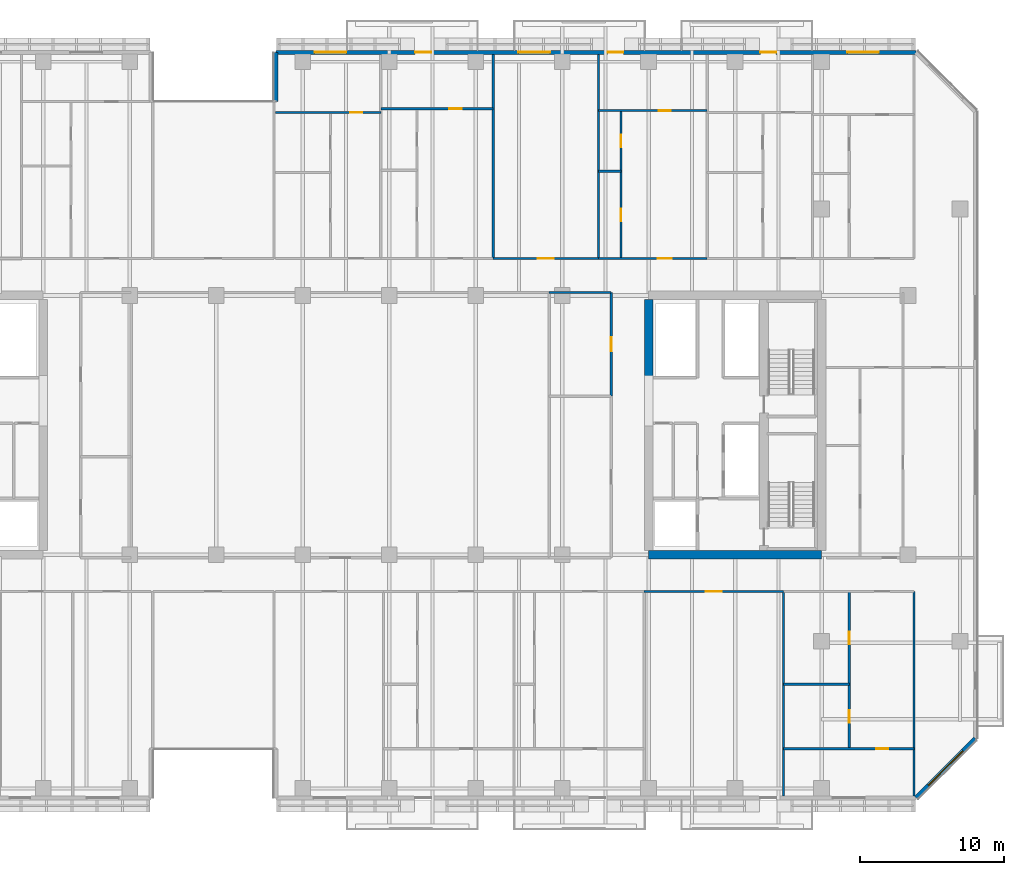
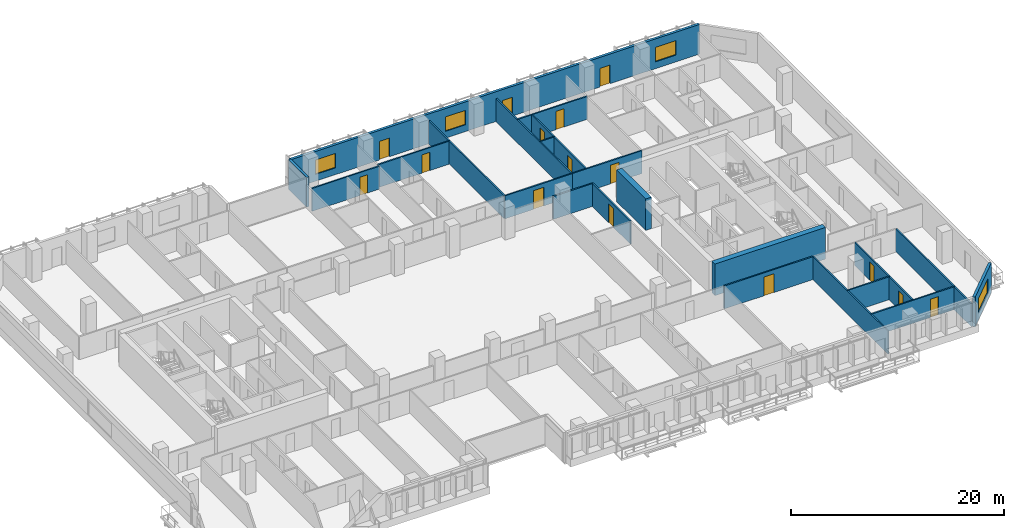
# One storey, part 14 of 26: 22 walls, 15 doors, 4 windows, 19 openings.
"""IFC4 building model written with IfcOpenShell, lengths in metres."""

from ifc_helpers import new_model, si_unit, direction, frame, frame_2d, origin, place, context, subcontext, project, spatial, rectangle, extrude, material, layer, layer_set, type_object, element, fill, save


model = new_model("IFC4")

# Units and contexts
model_context = context("Model", 3, precision=1e-05, world=origin(), true_north=direction((0.0, 1.0)))
body_context = subcontext(model_context, "Body", "Model", "MODEL_VIEW")
ifc_project = project(units=[si_unit("LENGTHUNIT", "METRE"), si_unit("AREAUNIT", "SQUARE_METRE"), si_unit("VOLUMEUNIT", "CUBIC_METRE"), si_unit("PLANEANGLEUNIT", "RADIAN"), si_unit("MASSUNIT", "GRAM", prefix="KILO")], contexts=[model_context])

# Site, building, storey
site_placement = place(None, origin())
site = spatial("IfcSite", under=ifc_project, at=site_placement, CompositionType="ELEMENT")
building_placement = place(site_placement, origin())
building = spatial("IfcBuilding", under=site, at=building_placement, Name="Tanjung Sevakor Pilgrim Tower", CompositionType="ELEMENT")
storey_placement = place(building_placement, frame((0.0, 0.0, 66.0)))
storey = spatial("IfcBuildingStorey", under=building, at=storey_placement, Name="L18", CompositionType="ELEMENT", Elevation=66.0)

# Walls
ifc_material_1 = material(Name="Concrete C60/75", Category="concrete")
ifc_layer_1 = layer(ifc_material_1, 0.60009765625)
ifc_layer_set_1 = layer_set([ifc_layer_1], Name="WALL-CW-600")
wall_type_1 = type_object("IfcWallType", Name="WALL-CW-600", PredefinedType="SHEAR", material=ifc_layer_set_1)
wall_1_placement = place(storey_placement, frame((78.0, 24.60009765625, 0.0), z_axis=(0.0, 0.0, 1.0), x_axis=(1.0, 0.0, 0.0)))
element("IfcWall", 1, at=wall_1_placement, inside=storey, type_object=wall_type_1, Name="L18 E Core South Shear Wall", PredefinedType="SHEAR", context=body_context, shape_type="SweptSolid", body=[
    extrude(rectangle(XDim=12.0, YDim=0.60009765625, at=frame_2d((6.0, 0.0))), origin(), (0.0, 0.0, 1.0), 3.6298828125),
])
wall_2_placement = place(storey_placement, frame((78.0, 36.800048828125, 0.0), z_axis=(0.0, 0.0, 1.0), x_axis=(0.0, 1.0, 0.0)))
element("IfcWall", 2, at=wall_2_placement, inside=storey, type_object=wall_type_1, Name="L18 E Core Inner Shear Wall North", PredefinedType="SHEAR", context=body_context, shape_type="SweptSolid", body=[
    extrude(rectangle(XDim=5.5, YDim=0.60009765625, at=frame_2d((2.75, 0.0))), origin(), (0.0, 0.0, 1.0), 3.6298828125),
])
ifc_material_2 = material(Name="Concrete C40/50", Category="concrete")
ifc_layer_2 = layer(ifc_material_2, 0.14990234375)
ifc_layer_set_2 = layer_set([ifc_layer_2], Name="WT-COMP-150")
wall_type_2 = type_object("IfcWallType", Name="WT-COMP-150", PredefinedType="SOLIDWALL", material=ifc_layer_set_2)
wall_3_placement = place(storey_placement, frame((71.10009765625, 42.800048828125, 0.0), z_axis=(0.0, 0.0, 1.0), x_axis=(1.0, 0.0, 0.0)))
element("IfcWall", 3, at=wall_3_placement, inside=storey, type_object=wall_type_2, Name="L18 Partition IW-L18-037", PredefinedType="SOLIDWALL", context=body_context, shape_type="SweptSolid", body=[
    extrude(rectangle(XDim=4.2998046875, YDim=0.14990234375, at=frame_2d((2.14990234375, 0.0))), origin(), (0.0, 0.0, 1.0), 2.625244140625),
])

# Wall, opening, door
wall_4_placement = place(storey_placement, frame((75.39990234375, 35.60009765625, 0.0), z_axis=(0.0, 0.0, 1.0), x_axis=(0.0, 1.0, 0.0)))
wall_4 = element("IfcWall", 4, at=wall_4_placement, inside=storey, type_object=wall_type_2, Name="L18 Partition IW-L18-038", PredefinedType="SOLIDWALL", context=body_context, shape_type="SweptSolid", body=[
    extrude(rectangle(XDim=7.199951171875, YDim=0.14990234375, at=frame_2d((3.60009765625, 0.0))), origin(), (0.0, 0.0, 1.0), 2.6298828125),
])
opening_1_placement = place(wall_4_placement, frame((3.125, 0.0, 0.0)))
opening_1 = element("IfcOpeningElement", 5, at=opening_1_placement, cuts=wall_4, Name="Opening ID-RM1", PredefinedType="OPENING", context=body_context, shape_type="SweptSolid", body=[
    extrude(rectangle(XDim=0.949951171875, YDim=2.14990234375, at=frame_2d((0.47509765625, 1.074951171875))), frame((0.0, 0.0849609375, 0.0), z_axis=(0.0, -1.0, 0.0), x_axis=(1.0, 0.0, 0.0)), (0.0, 0.0, 1.0), 0.169921875),
])
ifc_material_3 = material(Name="Hardwood Timber", Category="wood")
door_type_1 = type_object("IfcDoorType", Name="DT-INT-950", OperationType="NOTDEFINED", PredefinedType="DOOR", material=ifc_material_3)
door_1_placement = place(opening_1_placement, origin())
door_1 = element("IfcDoor", 6, at=door_1_placement, inside=storey, type_object=door_type_1, Name="L18 Female Washroom Door", OperationType="SINGLE_SWING_RIGHT", OverallHeight=2.14990234375, OverallWidth=0.949951171875, PredefinedType="DOOR", context=body_context, shape_type="SweptSolid", body=[
    extrude(rectangle(XDim=0.949951171875, YDim=2.14990234375, at=frame_2d((0.47509765625, 1.074951171875))), frame((0.0, 0.02490234375, 0.0), z_axis=(0.0, -1.0, 0.0), x_axis=(1.0, 0.0, 0.0)), (0.0, 0.0, 1.0), 0.050048828125),
])
fill(opening_1, door_1)

# Walls
for number, where, z_axis, x_axis, name in (
    (7, (96.39990234375, 7.8798828125, 0.0), (0.0, 0.0, 1.0), (0.0, 1.0, 0.0), "L18 Partition IW-L18-063"),
    (8, (87.35693359375, 7.8798828125, 0.0), (0.0, 0.0, 1.0), (0.0, 1.0, 0.0), "L18 Partition IW-L18-076"),
):
    element("IfcWall", number, at=place(storey_placement, frame(where, z_axis=z_axis, x_axis=x_axis)), inside=storey, type_object=wall_type_2, Name=name, PredefinedType="SOLIDWALL", context=body_context, shape_type="SweptSolid", body=[
        extrude(rectangle(XDim=14.170166015625, YDim=0.14990234375, at=frame_2d((7.0849609375, 0.0))), origin(), (0.0, 0.0, 1.0), 2.6298828125),
    ])

# Wall, opening, door
wall_5_placement = place(storey_placement, frame((77.690185546875, 22.050048828125, 0.0), z_axis=(0.0, 0.0, 1.0), x_axis=(1.0, 0.0, 0.0)))
wall_5 = element("IfcWall", 9, at=wall_5_placement, inside=storey, type_object=wall_type_2, Name="L18 Partition IW-L18-077", PredefinedType="SOLIDWALL", context=body_context, shape_type="SweptSolid", body=[
    extrude(rectangle(XDim=9.666748046875, YDim=0.14990234375, at=frame_2d((4.83349609375, 0.0))), origin(), (0.0, 0.0, 1.0), 2.6298828125),
])
opening_2_placement = place(wall_5_placement, frame((4.283447265625, 0.0, 0.0)))
opening_2 = element("IfcOpeningElement", 10, at=opening_2_placement, cuts=wall_5, Name="Opening ID-FD0", PredefinedType="OPENING", context=body_context, shape_type="SweptSolid", body=[
    extrude(rectangle(XDim=1.10009765625, YDim=2.14990234375, at=frame_2d((0.550048828125, 1.074951171875))), frame((0.0, 0.0849609375, 0.0), z_axis=(0.0, -1.0, 0.0), x_axis=(1.0, 0.0, 0.0)), (0.0, 0.0, 1.0), 0.169921875),
])
ifc_material_4 = material(Name="Fire-Rated Steel S355J2", Category="steel")
door_type_2 = type_object("IfcDoorType", Name="DT-FIRE-1100", OperationType="NOTDEFINED", PredefinedType="DOOR", material=ifc_material_4)
door_2_placement = place(opening_2_placement, origin())
door_2 = element("IfcDoor", 11, at=door_2_placement, inside=storey, type_object=door_type_2, Name="Council Room Door", OperationType="SINGLE_SWING_RIGHT", OverallHeight=2.14990234375, OverallWidth=1.10009765625, PredefinedType="DOOR", context=body_context, shape_type="SweptSolid", body=[
    extrude(rectangle(XDim=1.10009765625, YDim=2.14990234375, at=frame_2d((0.550048828125, 1.074951171875))), frame((0.0, 0.02490234375, 0.0), z_axis=(0.0, -1.0, 0.0), x_axis=(1.0, 0.0, 0.0)), (0.0, 0.0, 1.0), 0.050048828125),
])
fill(opening_2, door_2)

# Walls
for number, where, z_axis, x_axis, name in (
    (12, (67.21533203125, 45.14990234375, 0.0), (0.0, 0.0, 1.0), (0.0, 1.0, 0.0), "L18 Partition IW-L18-097"),
    (13, (74.511474609375, 45.14990234375, 0.0), (0.0, 0.0, 1.0), (0.0, 1.0, 0.0), "L18 Partition IW-L18-102"),
):
    element("IfcWall", number, at=place(storey_placement, frame(where, z_axis=z_axis, x_axis=x_axis)), inside=storey, type_object=wall_type_2, Name=name, PredefinedType="SOLIDWALL", context=body_context, shape_type="SweptSolid", body=[
        extrude(rectangle(XDim=14.170166015625, YDim=0.14990234375, at=frame_2d((7.0849609375, 0.0))), origin(), (0.0, 0.0, 1.0), 2.6298828125),
    ])

# Wall, opening, door
wall_6_placement = place(storey_placement, frame((67.21533203125, 45.14990234375, 0.0), z_axis=(0.0, 0.0, 1.0), x_axis=(1.0, 0.0, 0.0)))
wall_6 = element("IfcWall", 14, at=wall_6_placement, inside=storey, type_object=wall_type_2, Name="L18 Partition IW-L18-103", PredefinedType="SOLIDWALL", context=body_context, shape_type="SweptSolid", body=[
    extrude(rectangle(XDim=7.296142578125, YDim=0.14990234375, at=frame_2d((3.64794921875, 0.0))), origin(), (0.0, 0.0, 1.0), 2.6298828125),
])
opening_3_placement = place(wall_6_placement, frame((3.097900390625, 0.0, 0.0)))
opening_3 = element("IfcOpeningElement", 15, at=opening_3_placement, cuts=wall_6, Name="Opening ID-FD0", PredefinedType="OPENING", context=body_context, shape_type="SweptSolid", body=[
    extrude(rectangle(XDim=1.10009765625, YDim=2.14990234375, at=frame_2d((0.550048828125, 1.074951171875))), frame((0.0, 0.0849609375, 0.0), z_axis=(0.0, -1.0, 0.0), x_axis=(1.0, 0.0, 0.0)), (0.0, 0.0, 1.0), 0.169921875),
])
door_3_placement = place(opening_3_placement, origin())
door_3 = element("IfcDoor", 16, at=door_3_placement, inside=storey, type_object=door_type_2, Name="Communal Lounge Door", OperationType="SINGLE_SWING_LEFT", OverallHeight=2.14990234375, OverallWidth=1.10009765625, PredefinedType="DOOR", context=body_context, shape_type="SweptSolid", body=[
    extrude(rectangle(XDim=1.10009765625, YDim=2.14990234375, at=frame_2d((0.550048828125, 1.074951171875))), frame((0.0, 0.02490234375, 0.0), z_axis=(0.0, -1.0, 0.0), x_axis=(1.0, 0.0, 0.0)), (0.0, 0.0, 1.0), 0.050048828125),
])
fill(opening_3, door_3)

wall_7_placement = place(storey_placement, frame((74.511474609375, 45.14990234375, 0.0), z_axis=(0.0, 0.0, 1.0), x_axis=(1.0, 0.0, 0.0)))
wall_7 = element("IfcWall", 17, at=wall_7_placement, inside=storey, type_object=wall_type_2, Name="L18 Partition IW-L18-108", PredefinedType="SOLIDWALL", context=body_context, shape_type="SweptSolid", body=[
    extrude(rectangle(XDim=7.547607421875, YDim=0.14990234375, at=frame_2d((3.77392578125, 0.0))), origin(), (0.0, 0.0, 1.0), 2.6298828125),
])
opening_4_placement = place(wall_7_placement, frame((4.123046875, 0.0, 0.0)))
opening_4 = element("IfcOpeningElement", 18, at=opening_4_placement, cuts=wall_7, Name="Opening ID-FD2", PredefinedType="OPENING", context=body_context, shape_type="SweptSolid", body=[
    extrude(rectangle(XDim=0.949951171875, YDim=2.14990234375, at=frame_2d((0.47509765625, 1.074951171875))), frame((0.0, 0.0849609375, 0.0), z_axis=(0.0, -1.0, 0.0), x_axis=(1.0, 0.0, 0.0)), (0.0, 0.0, 1.0), 0.169921875),
])
ifc_material_5 = material(Name="Fire-Rated Timber", Category="wood")
door_type_3 = type_object("IfcDoorType", Name="DT-FIRE-950", OperationType="NOTDEFINED", PredefinedType="DOOR", material=ifc_material_5)
door_4_placement = place(opening_4_placement, origin())
door_4 = element("IfcDoor", 19, at=door_4_placement, inside=storey, type_object=door_type_3, Name="Residence Entrance", OperationType="SINGLE_SWING_LEFT", OverallHeight=2.14990234375, OverallWidth=0.949951171875, PredefinedType="DOOR", context=body_context, shape_type="SweptSolid", body=[
    extrude(rectangle(XDim=0.949951171875, YDim=2.14990234375, at=frame_2d((0.47509765625, 1.074951171875))), frame((0.0, 0.02490234375, 0.0), z_axis=(0.0, -1.0, 0.0), x_axis=(1.0, 0.0, 0.0)), (0.0, 0.0, 1.0), 0.050048828125),
])
fill(opening_4, door_4)

# Wall, opening, window
ifc_material_6 = material(Name="Precast concrete C45/55", Category="concrete")
ifc_layer_3 = layer(ifc_material_6, 0.280029296875)
ifc_layer_set_3 = layer_set([ifc_layer_3], Name="WT-EW-STN2")
wall_type_3 = type_object("IfcWallType", Name="WT-EW-STN2", PredefinedType="SOLIDWALL", material=ifc_layer_set_3)
wall_8_placement = place(storey_placement, frame((96.5419921875, 7.739990234375, 0.0), z_axis=(0.0, 0.0, 1.0), x_axis=(0.707106781187, 0.707106781187, 0.0)))
wall_8 = element("IfcWall", 20, at=wall_8_placement, inside=storey, type_object=wall_type_3, Name="L18 MAIN Sculpted Corner Wall 5", PredefinedType="SOLIDWALL", context=body_context, shape_type="SweptSolid", body=[
    extrude(rectangle(XDim=5.82373046875, YDim=0.280029296875, at=frame_2d((2.911865234375, 0.0))), origin(), (0.0, 0.0, 1.0), 3.409912109375),
])
opening_5_placement = place(wall_8_placement, frame((1.2119140625, 0.0, 0.780029296875)))
opening_5 = element("IfcOpeningElement", 21, at=opening_5_placement, cuts=wall_8, Name="Opening WN-CHM-1660", PredefinedType="OPENING", context=body_context, shape_type="SweptSolid", body=[
    extrude(rectangle(XDim=3.39990234375, YDim=1.659912109375, at=frame_2d((1.699951171875, 0.830078125))), frame((0.0, 0.14990234375, 0.0), z_axis=(0.0, -1.0, 0.0), x_axis=(1.0, 0.0, 0.0)), (0.0, 0.0, 1.0), 0.300048828125),
])
ifc_material_7 = material(Name="Thermally Broken Aluminium and Low-E Glass", Category="aluminium")
window_type_1 = type_object("IfcWindowType", Name="WTYP-WN-CHM-1660", PartitioningType="DOUBLE_PANEL_VERTICAL", PredefinedType="WINDOW", material=ifc_material_7)
window_1_placement = place(opening_5_placement, origin())
window_1 = element("IfcWindow", 22, at=window_1_placement, inside=storey, type_object=window_type_1, Name="L18 Facade Window 01", OverallHeight=1.659912109375, OverallWidth=3.39990234375, PartitioningType="SINGLE_PANEL", PredefinedType="WINDOW", context=body_context, shape_type="SweptSolid", body=[
    extrude(rectangle(XDim=3.39990234375, YDim=1.659912109375, at=frame_2d((1.699951171875, 0.830078125))), frame((0.0, 0.030029296875, 0.0), z_axis=(0.0, -1.0, 0.0), x_axis=(1.0, 0.0, 0.0)), (0.0, 0.0, 1.0), 0.06005859375),
])
fill(opening_5, window_1)

# Wall, openings, doors, windows
wall_9_placement = place(storey_placement, frame((96.5419921875, 59.4599609375, 0.0), z_axis=(0.0, 0.0, 1.0), x_axis=(-1.0, 0.0, 0.0)))
wall_9 = element("IfcWall", 23, at=wall_9_placement, inside=storey, type_object=wall_type_3, Name="L18 MAIN Exterior Wall 9", PredefinedType="SOLIDWALL", context=body_context, shape_type="SweptSolid", body=[
    extrude(rectangle(XDim=44.402099609375, YDim=0.280029296875, at=frame_2d((22.201171875, 0.0))), origin(), (0.0, 0.0, 1.0), 3.409912109375),
])
opening_6_placement = place(wall_9_placement, frame((33.64208984375, 0.0, 0.0)))
opening_6 = element("IfcOpeningElement", 24, at=opening_6_placement, cuts=wall_9, Name="Opening ED-BAL-1100", PredefinedType="OPENING", context=body_context, shape_type="SweptSolid", body=[
    extrude(rectangle(XDim=1.10009765625, YDim=2.14990234375, at=frame_2d((0.550048828125, 1.074951171875))), frame((0.0, 0.14990234375, 0.0), z_axis=(0.0, -1.0, 0.0), x_axis=(1.0, 0.0, 0.0)), (0.0, 0.0, 1.0), 0.300048828125),
])
opening_7_placement = place(wall_9_placement, frame((20.2919921875, 0.0, 0.0)))
opening_7 = element("IfcOpeningElement", 25, at=opening_7_placement, cuts=wall_9, Name="Opening ED-BAL-1100", PredefinedType="OPENING", context=body_context, shape_type="SweptSolid", body=[
    extrude(rectangle(XDim=1.10009765625, YDim=2.14990234375, at=frame_2d((0.550048828125, 1.074951171875))), frame((0.0, 0.14990234375, 0.0), z_axis=(0.0, -1.0, 0.0), x_axis=(1.0, 0.0, 0.0)), (0.0, 0.0, 1.0), 0.300048828125),
])
opening_8_placement = place(wall_9_placement, frame((9.69189453125, 0.0, 0.0)))
opening_8 = element("IfcOpeningElement", 26, at=opening_8_placement, cuts=wall_9, Name="Opening ED-BAL-1100", PredefinedType="OPENING", context=body_context, shape_type="SweptSolid", body=[
    extrude(rectangle(XDim=1.10009765625, YDim=2.14990234375, at=frame_2d((0.550048828125, 1.074951171875))), frame((0.0, 0.14990234375, 0.0), z_axis=(0.0, -1.0, 0.0), x_axis=(1.0, 0.0, 0.0)), (0.0, 0.0, 1.0), 0.300048828125),
])
opening_9_placement = place(wall_9_placement, frame((39.513916015625, 0.0, 0.780029296875)))
opening_9 = element("IfcOpeningElement", 27, at=opening_9_placement, cuts=wall_9, Name="Opening WN-Z1-1660", PredefinedType="OPENING", context=body_context, shape_type="SweptSolid", body=[
    extrude(rectangle(XDim=2.199951171875, YDim=1.659912109375, at=frame_2d((1.10009765625, 0.830078125))), frame((0.0, 0.14990234375, 0.0), z_axis=(0.0, -1.0, 0.0), x_axis=(1.0, 0.0, 0.0)), (0.0, 0.0, 1.0), 0.300048828125),
])
opening_10_placement = place(wall_9_placement, frame((25.378662109375, 0.0, 0.780029296875)))
opening_10 = element("IfcOpeningElement", 28, at=opening_10_placement, cuts=wall_9, Name="Opening WN-Z1-1660", PredefinedType="OPENING", context=body_context, shape_type="SweptSolid", body=[
    extrude(rectangle(XDim=2.199951171875, YDim=1.659912109375, at=frame_2d((1.10009765625, 0.830078125))), frame((0.0, 0.14990234375, 0.0), z_axis=(0.0, -1.0, 0.0), x_axis=(1.0, 0.0, 0.0)), (0.0, 0.0, 1.0), 0.300048828125),
])
opening_11_placement = place(wall_9_placement, frame((2.564453125, 0.0, 0.780029296875)))
opening_11 = element("IfcOpeningElement", 29, at=opening_11_placement, cuts=wall_9, Name="Opening WN-Z1-1660", PredefinedType="OPENING", context=body_context, shape_type="SweptSolid", body=[
    extrude(rectangle(XDim=2.199951171875, YDim=1.659912109375, at=frame_2d((1.10009765625, 0.830078125))), frame((0.0, 0.14990234375, 0.0), z_axis=(0.0, -1.0, 0.0), x_axis=(1.0, 0.0, 0.0)), (0.0, 0.0, 1.0), 0.300048828125),
])
ifc_material_8 = material(Name="Anodised Aluminium and Laminated Glass", Category="aluminium")
door_type_4 = type_object("IfcDoorType", Name="DTYP-ED-BAL-1100", OperationType="NOTDEFINED", PredefinedType="DOOR", material=ifc_material_8)
door_5_placement = place(opening_6_placement, frame((1.10009765625, 0.0, 0.0), z_axis=(0.0, 0.0, 1.0), x_axis=(-1.0, 0.0, 0.0)))
door_5 = element("IfcDoor", 30, at=door_5_placement, inside=storey, type_object=door_type_4, Name="L18 Balcony Door MAIN-N2", OperationType="SINGLE_SWING_LEFT", OverallHeight=2.14990234375, OverallWidth=1.10009765625, PredefinedType="DOOR", context=body_context, shape_type="SweptSolid", body=[
    extrude(rectangle(XDim=1.10009765625, YDim=2.14990234375, at=frame_2d((0.550048828125, 1.074951171875))), frame((0.0, 0.02490234375, 0.0), z_axis=(0.0, -1.0, 0.0), x_axis=(1.0, 0.0, 0.0)), (0.0, 0.0, 1.0), 0.050048828125),
])
fill(opening_6, door_5)
door_6_placement = place(opening_7_placement, frame((1.10009765625, 0.0, 0.0), z_axis=(0.0, 0.0, 1.0), x_axis=(-1.0, 0.0, 0.0)))
door_6 = element("IfcDoor", 31, at=door_6_placement, inside=storey, type_object=door_type_4, Name="L18 Balcony Door MAIN-N3", OperationType="SINGLE_SWING_RIGHT", OverallHeight=2.14990234375, OverallWidth=1.10009765625, PredefinedType="DOOR", context=body_context, shape_type="SweptSolid", body=[
    extrude(rectangle(XDim=1.10009765625, YDim=2.14990234375, at=frame_2d((0.550048828125, 1.074951171875))), frame((0.0, 0.02490234375, 0.0), z_axis=(0.0, -1.0, 0.0), x_axis=(1.0, 0.0, 0.0)), (0.0, 0.0, 1.0), 0.050048828125),
])
fill(opening_7, door_6)
door_7_placement = place(opening_8_placement, frame((1.10009765625, 0.0, 0.0), z_axis=(0.0, 0.0, 1.0), x_axis=(-1.0, 0.0, 0.0)))
door_7 = element("IfcDoor", 32, at=door_7_placement, inside=storey, type_object=door_type_4, Name="L18 Balcony Door MAIN-N4", OperationType="SINGLE_SWING_LEFT", OverallHeight=2.14990234375, OverallWidth=1.10009765625, PredefinedType="DOOR", context=body_context, shape_type="SweptSolid", body=[
    extrude(rectangle(XDim=1.10009765625, YDim=2.14990234375, at=frame_2d((0.550048828125, 1.074951171875))), frame((0.0, 0.02490234375, 0.0), z_axis=(0.0, -1.0, 0.0), x_axis=(1.0, 0.0, 0.0)), (0.0, 0.0, 1.0), 0.050048828125),
])
fill(opening_8, door_7)
ifc_material_9 = material(Name="Thermally Broken Aluminium and Low-E Glass", Category="aluminium")
window_type_2 = type_object("IfcWindowType", Name="WTYP-WN-Z1-1660", PartitioningType="DOUBLE_PANEL_VERTICAL", PredefinedType="WINDOW", material=ifc_material_9)
window_2_placement = place(opening_9_placement, origin())
window_2 = element("IfcWindow", 33, at=window_2_placement, inside=storey, type_object=window_type_2, Name="L18 Facade Window 01", OverallHeight=1.659912109375, OverallWidth=2.199951171875, PartitioningType="SINGLE_PANEL", PredefinedType="WINDOW", context=body_context, shape_type="SweptSolid", body=[
    extrude(rectangle(XDim=2.199951171875, YDim=1.659912109375, at=frame_2d((1.10009765625, 0.830078125))), frame((0.0, 0.030029296875, 0.0), z_axis=(0.0, -1.0, 0.0), x_axis=(1.0, 0.0, 0.0)), (0.0, 0.0, 1.0), 0.06005859375),
])
fill(opening_9, window_2)
window_3_placement = place(opening_10_placement, origin())
window_3 = element("IfcWindow", 34, at=window_3_placement, inside=storey, type_object=window_type_2, Name="L18 Facade Window 02", OverallHeight=1.659912109375, OverallWidth=2.199951171875, PartitioningType="SINGLE_PANEL", PredefinedType="WINDOW", context=body_context, shape_type="SweptSolid", body=[
    extrude(rectangle(XDim=2.199951171875, YDim=1.659912109375, at=frame_2d((1.10009765625, 0.830078125))), frame((0.0, 0.030029296875, 0.0), z_axis=(0.0, -1.0, 0.0), x_axis=(1.0, 0.0, 0.0)), (0.0, 0.0, 1.0), 0.06005859375),
])
fill(opening_10, window_3)
window_4_placement = place(opening_11_placement, origin())
window_4 = element("IfcWindow", 35, at=window_4_placement, inside=storey, type_object=window_type_2, Name="L18 Facade Window 03", OverallHeight=1.659912109375, OverallWidth=2.199951171875, PartitioningType="SINGLE_PANEL", PredefinedType="WINDOW", context=body_context, shape_type="SweptSolid", body=[
    extrude(rectangle(XDim=2.199951171875, YDim=1.659912109375, at=frame_2d((1.10009765625, 0.830078125))), frame((0.0, 0.030029296875, 0.0), z_axis=(0.0, -1.0, 0.0), x_axis=(1.0, 0.0, 0.0)), (0.0, 0.0, 1.0), 0.06005859375),
])
fill(opening_11, window_4)

# Walls
wall_10_placement = place(storey_placement, frame((52.139892578125, 59.4599609375, 0.0), z_axis=(0.0, 0.0, 1.0), x_axis=(0.0, -1.0, 0.0)))
element("IfcWall", 36, at=wall_10_placement, inside=storey, type_object=wall_type_3, Name="L18 MAIN Exterior Wall 10", PredefinedType="SOLIDWALL", context=body_context, shape_type="SweptSolid", body=[
    extrude(rectangle(XDim=3.39990234375, YDim=0.280029296875, at=frame_2d((1.699951171875, 0.0))), origin(), (0.0, 0.0, 1.0), 3.409912109375),
])
ifc_material_10 = material(Name="Gypsum Board Partition", Category="gypsum board")
ifc_layer_4 = layer(ifc_material_10, 0.14990234375)
ifc_layer_set_4 = layer_set([ifc_layer_4], Name="WT-PART-150")
wall_type_4 = type_object("IfcWallType", Name="WT-PART-150", PredefinedType="PARTITIONING", material=ifc_layer_set_4)
wall_11_placement = place(storey_placement, frame((87.35693359375, 15.614501953125, 0.0), z_axis=(0.0, 0.0, 1.0), x_axis=(1.0, 0.0, 0.0)))
element("IfcWall", 37, at=wall_11_placement, inside=storey, type_object=wall_type_4, Name="L18 Partition IW-L18-078", PredefinedType="PARTITIONING", context=body_context, shape_type="SweptSolid", body=[
    extrude(rectangle(XDim=4.56298828125, YDim=0.14990234375, at=frame_2d((2.281494140625, 0.0))), origin(), (0.0, 0.0, 1.0), 2.6298828125),
])

# Wall, openings, doors
wall_12_placement = place(storey_placement, frame((91.919921875, 11.14208984375, 0.0), z_axis=(0.0, 0.0, 1.0), x_axis=(0.0, 1.0, 0.0)))
wall_12 = element("IfcWall", 38, at=wall_12_placement, inside=storey, type_object=wall_type_4, Name="L18 Partition IW-L18-079", PredefinedType="PARTITIONING", context=body_context, shape_type="SweptSolid", body=[
    extrude(rectangle(XDim=10.907958984375, YDim=0.14990234375, at=frame_2d((5.4541015625, 0.0))), origin(), (0.0, 0.0, 1.0), 2.6298828125),
])
opening_12_placement = place(wall_12_placement, frame((1.81103515625, 0.0, 0.0)))
opening_12 = element("IfcOpeningElement", 39, at=opening_12_placement, cuts=wall_12, Name="Opening ID-WC1", PredefinedType="OPENING", context=body_context, shape_type="SweptSolid", body=[
    extrude(rectangle(XDim=0.85009765625, YDim=2.10009765625, at=frame_2d((0.425048828125, 1.050048828125))), frame((0.0, 0.0849609375, 0.0), z_axis=(0.0, -1.0, 0.0), x_axis=(1.0, 0.0, 0.0)), (0.0, 0.0, 1.0), 0.169921875),
])
opening_13_placement = place(wall_12_placement, frame((7.264892578125, 0.0, 0.0)))
opening_13 = element("IfcOpeningElement", 40, at=opening_13_placement, cuts=wall_12, Name="Opening ID-WC1", PredefinedType="OPENING", context=body_context, shape_type="SweptSolid", body=[
    extrude(rectangle(XDim=0.85009765625, YDim=2.10009765625, at=frame_2d((0.425048828125, 1.050048828125))), frame((0.0, 0.0849609375, 0.0), z_axis=(0.0, -1.0, 0.0), x_axis=(1.0, 0.0, 0.0)), (0.0, 0.0, 1.0), 0.169921875),
])
ifc_material_11 = material(Name="Moisture-Resistant Timber", Category="wood")
door_type_5 = type_object("IfcDoorType", Name="DT-INT-850", OperationType="NOTDEFINED", PredefinedType="DOOR", material=ifc_material_11)
door_8_placement = place(opening_12_placement, origin())
door_8 = element("IfcDoor", 41, at=door_8_placement, inside=storey, type_object=door_type_5, Name="Residence Bathroom Door", OperationType="SINGLE_SWING_LEFT", OverallHeight=2.10009765625, OverallWidth=0.85009765625, PredefinedType="DOOR", context=body_context, shape_type="SweptSolid", body=[
    extrude(rectangle(XDim=0.85009765625, YDim=2.10009765625, at=frame_2d((0.425048828125, 1.050048828125))), frame((0.0, 0.02490234375, 0.0), z_axis=(0.0, -1.0, 0.0), x_axis=(1.0, 0.0, 0.0)), (0.0, 0.0, 1.0), 0.050048828125),
])
fill(opening_12, door_8)
door_9_placement = place(opening_13_placement, origin())
door_9 = element("IfcDoor", 42, at=door_9_placement, inside=storey, type_object=door_type_5, Name="Residence Kitchenette Door", OperationType="SINGLE_SWING_RIGHT", OverallHeight=2.10009765625, OverallWidth=0.85009765625, PredefinedType="DOOR", context=body_context, shape_type="SweptSolid", body=[
    extrude(rectangle(XDim=0.85009765625, YDim=2.10009765625, at=frame_2d((0.425048828125, 1.050048828125))), frame((0.0, 0.02490234375, 0.0), z_axis=(0.0, -1.0, 0.0), x_axis=(1.0, 0.0, 0.0)), (0.0, 0.0, 1.0), 0.050048828125),
])
fill(opening_13, door_9)

# Wall, opening, door
wall_13_placement = place(storey_placement, frame((87.35693359375, 11.14208984375, 0.0), z_axis=(0.0, 0.0, 1.0), x_axis=(1.0, 0.0, 0.0)))
wall_13 = element("IfcWall", 43, at=wall_13_placement, inside=storey, type_object=wall_type_4, Name="L18 Partition IW-L18-080", PredefinedType="PARTITIONING", context=body_context, shape_type="SweptSolid", body=[
    extrude(rectangle(XDim=9.04296875, YDim=0.14990234375, at=frame_2d((4.521484375, 0.0))), origin(), (0.0, 0.0, 1.0), 2.6298828125),
])
opening_14_placement = place(wall_13_placement, frame((6.418212890625, 0.0, 0.0)))
opening_14 = element("IfcOpeningElement", 44, at=opening_14_placement, cuts=wall_13, Name="Opening ID-WC1", PredefinedType="OPENING", context=body_context, shape_type="SweptSolid", body=[
    extrude(rectangle(XDim=0.85009765625, YDim=2.10009765625, at=frame_2d((0.425048828125, 1.050048828125))), frame((0.0, 0.0849609375, 0.0), z_axis=(0.0, -1.0, 0.0), x_axis=(1.0, 0.0, 0.0)), (0.0, 0.0, 1.0), 0.169921875),
])
door_10_placement = place(opening_14_placement, origin())
door_10 = element("IfcDoor", 45, at=door_10_placement, inside=storey, type_object=door_type_5, Name="Residence Bedroom Door", OperationType="SINGLE_SWING_LEFT", OverallHeight=2.10009765625, OverallWidth=0.85009765625, PredefinedType="DOOR", context=body_context, shape_type="SweptSolid", body=[
    extrude(rectangle(XDim=0.85009765625, YDim=2.10009765625, at=frame_2d((0.425048828125, 1.050048828125))), frame((0.0, 0.02490234375, 0.0), z_axis=(0.0, -1.0, 0.0), x_axis=(1.0, 0.0, 0.0)), (0.0, 0.0, 1.0), 0.050048828125),
])
fill(opening_14, door_10)

wall_14_placement = place(storey_placement, frame((52.1201171875, 55.276611328125, 0.0), z_axis=(0.0, 0.0, 1.0), x_axis=(1.0, 0.0, 0.0)))
wall_14 = element("IfcWall", 46, at=wall_14_placement, inside=storey, type_object=wall_type_4, Name="L18 Partition IW-L18-095", PredefinedType="PARTITIONING", context=body_context, shape_type="SweptSolid", body=[
    extrude(rectangle(XDim=7.2958984375, YDim=0.14990234375, at=frame_2d((3.64794921875, 0.0))), origin(), (0.0, 0.0, 1.0), 2.6298828125),
])
opening_15_placement = place(wall_14_placement, frame((5.1630859375, 0.0, 0.0)))
opening_15 = element("IfcOpeningElement", 47, at=opening_15_placement, cuts=wall_14, Name="Opening ID-WC1", PredefinedType="OPENING", context=body_context, shape_type="SweptSolid", body=[
    extrude(rectangle(XDim=0.85009765625, YDim=2.10009765625, at=frame_2d((0.425048828125, 1.050048828125))), frame((0.0, 0.0849609375, 0.0), z_axis=(0.0, -1.0, 0.0), x_axis=(1.0, 0.0, 0.0)), (0.0, 0.0, 1.0), 0.169921875),
])
door_11_placement = place(opening_15_placement, origin())
door_11 = element("IfcDoor", 48, at=door_11_placement, inside=storey, type_object=door_type_5, Name="Residence Bedroom Door", OperationType="SINGLE_SWING_LEFT", OverallHeight=2.10009765625, OverallWidth=0.85009765625, PredefinedType="DOOR", context=body_context, shape_type="SweptSolid", body=[
    extrude(rectangle(XDim=0.85009765625, YDim=2.10009765625, at=frame_2d((0.425048828125, 1.050048828125))), frame((0.0, 0.02490234375, 0.0), z_axis=(0.0, -1.0, 0.0), x_axis=(1.0, 0.0, 0.0)), (0.0, 0.0, 1.0), 0.050048828125),
])
fill(opening_15, door_11)

wall_15_placement = place(storey_placement, frame((59.416015625, 55.53759765625, 0.0), z_axis=(0.0, 0.0, 1.0), x_axis=(1.0, 0.0, 0.0)))
wall_15 = element("IfcWall", 49, at=wall_15_placement, inside=storey, type_object=wall_type_4, Name="L18 Partition IW-L18-100", PredefinedType="PARTITIONING", context=body_context, shape_type="SweptSolid", body=[
    extrude(rectangle(XDim=7.79931640625, YDim=0.14990234375, at=frame_2d((3.899658203125, 0.0))), origin(), (0.0, 0.0, 1.0), 2.6298828125),
])
opening_16_placement = place(wall_15_placement, frame((4.7666015625, 0.0, 0.0)))
opening_16 = element("IfcOpeningElement", 50, at=opening_16_placement, cuts=wall_15, Name="Opening ID-WC1", PredefinedType="OPENING", context=body_context, shape_type="SweptSolid", body=[
    extrude(rectangle(XDim=0.85009765625, YDim=2.10009765625, at=frame_2d((0.425048828125, 1.050048828125))), frame((0.0, 0.0849609375, 0.0), z_axis=(0.0, -1.0, 0.0), x_axis=(1.0, 0.0, 0.0)), (0.0, 0.0, 1.0), 0.169921875),
])
door_12_placement = place(opening_16_placement, origin())
door_12 = element("IfcDoor", 51, at=door_12_placement, inside=storey, type_object=door_type_5, Name="Residence Bedroom Door", OperationType="SINGLE_SWING_LEFT", OverallHeight=2.10009765625, OverallWidth=0.85009765625, PredefinedType="DOOR", context=body_context, shape_type="SweptSolid", body=[
    extrude(rectangle(XDim=0.85009765625, YDim=2.10009765625, at=frame_2d((0.425048828125, 1.050048828125))), frame((0.0, 0.02490234375, 0.0), z_axis=(0.0, -1.0, 0.0), x_axis=(1.0, 0.0, 0.0)), (0.0, 0.0, 1.0), 0.050048828125),
])
fill(opening_16, door_12)

# Wall
wall_16_placement = place(storey_placement, frame((74.511474609375, 51.204345703125, 0.0), z_axis=(0.0, 0.0, 1.0), x_axis=(1.0, 0.0, 0.0)))
element("IfcWall", 52, at=wall_16_placement, inside=storey, type_object=wall_type_4, Name="L18 Partition IW-L18-105", PredefinedType="PARTITIONING", context=body_context, shape_type="SweptSolid", body=[
    extrude(rectangle(XDim=1.568603515625, YDim=0.14990234375, at=frame_2d((0.7841796875, 0.0))), origin(), (0.0, 0.0, 1.0), 2.6298828125),
])

# Wall, openings, doors
wall_17_placement = place(storey_placement, frame((76.080078125, 45.14990234375, 0.0), z_axis=(0.0, 0.0, 1.0), x_axis=(0.0, 1.0, 0.0)))
wall_17 = element("IfcWall", 53, at=wall_17_placement, inside=storey, type_object=wall_type_4, Name="L18 Partition IW-L18-106", PredefinedType="PARTITIONING", context=body_context, shape_type="SweptSolid", body=[
    extrude(rectangle(XDim=10.26171875, YDim=0.14990234375, at=frame_2d((5.130859375, 0.0))), origin(), (0.0, 0.0, 1.0), 2.6298828125),
])
opening_17_placement = place(wall_17_placement, frame((2.602294921875, 0.0, 0.0)))
opening_17 = element("IfcOpeningElement", 54, at=opening_17_placement, cuts=wall_17, Name="Opening ID-WC1", PredefinedType="OPENING", context=body_context, shape_type="SweptSolid", body=[
    extrude(rectangle(XDim=0.85009765625, YDim=2.10009765625, at=frame_2d((0.425048828125, 1.050048828125))), frame((0.0, 0.0849609375, 0.0), z_axis=(0.0, -1.0, 0.0), x_axis=(1.0, 0.0, 0.0)), (0.0, 0.0, 1.0), 0.169921875),
])
opening_18_placement = place(wall_17_placement, frame((7.73291015625, 0.0, 0.0)))
opening_18 = element("IfcOpeningElement", 55, at=opening_18_placement, cuts=wall_17, Name="Opening ID-WC1", PredefinedType="OPENING", context=body_context, shape_type="SweptSolid", body=[
    extrude(rectangle(XDim=0.85009765625, YDim=2.10009765625, at=frame_2d((0.425048828125, 1.050048828125))), frame((0.0, 0.0849609375, 0.0), z_axis=(0.0, -1.0, 0.0), x_axis=(1.0, 0.0, 0.0)), (0.0, 0.0, 1.0), 0.169921875),
])
door_13_placement = place(opening_17_placement, origin())
door_13 = element("IfcDoor", 56, at=door_13_placement, inside=storey, type_object=door_type_5, Name="Residence Kitchenette Door", OperationType="SINGLE_SWING_RIGHT", OverallHeight=2.10009765625, OverallWidth=0.85009765625, PredefinedType="DOOR", context=body_context, shape_type="SweptSolid", body=[
    extrude(rectangle(XDim=0.85009765625, YDim=2.10009765625, at=frame_2d((0.425048828125, 1.050048828125))), frame((0.0, 0.02490234375, 0.0), z_axis=(0.0, -1.0, 0.0), x_axis=(1.0, 0.0, 0.0)), (0.0, 0.0, 1.0), 0.050048828125),
])
fill(opening_17, door_13)
door_14_placement = place(opening_18_placement, origin())
door_14 = element("IfcDoor", 57, at=door_14_placement, inside=storey, type_object=door_type_5, Name="Residence Bathroom Door", OperationType="SINGLE_SWING_LEFT", OverallHeight=2.10009765625, OverallWidth=0.85009765625, PredefinedType="DOOR", context=body_context, shape_type="SweptSolid", body=[
    extrude(rectangle(XDim=0.85009765625, YDim=2.10009765625, at=frame_2d((0.425048828125, 1.050048828125))), frame((0.0, 0.02490234375, 0.0), z_axis=(0.0, -1.0, 0.0), x_axis=(1.0, 0.0, 0.0)), (0.0, 0.0, 1.0), 0.050048828125),
])
fill(opening_18, door_14)

# Wall, opening, door
wall_18_placement = place(storey_placement, frame((74.511474609375, 55.41162109375, 0.0), z_axis=(0.0, 0.0, 1.0), x_axis=(1.0, 0.0, 0.0)))
wall_18 = element("IfcWall", 58, at=wall_18_placement, inside=storey, type_object=wall_type_4, Name="L18 Partition IW-L18-107", PredefinedType="PARTITIONING", context=body_context, shape_type="SweptSolid", body=[
    extrude(rectangle(XDim=7.547607421875, YDim=0.14990234375, at=frame_2d((3.77392578125, 0.0))), origin(), (0.0, 0.0, 1.0), 2.6298828125),
])
opening_19_placement = place(wall_18_placement, frame((4.173095703125, 0.0, 0.0)))
opening_19 = element("IfcOpeningElement", 59, at=opening_19_placement, cuts=wall_18, Name="Opening ID-WC1", PredefinedType="OPENING", context=body_context, shape_type="SweptSolid", body=[
    extrude(rectangle(XDim=0.85009765625, YDim=2.10009765625, at=frame_2d((0.425048828125, 1.050048828125))), frame((0.0, 0.0849609375, 0.0), z_axis=(0.0, -1.0, 0.0), x_axis=(1.0, 0.0, 0.0)), (0.0, 0.0, 1.0), 0.169921875),
])
door_15_placement = place(opening_19_placement, origin())
door_15 = element("IfcDoor", 60, at=door_15_placement, inside=storey, type_object=door_type_5, Name="Residence Bedroom Door", OperationType="SINGLE_SWING_RIGHT", OverallHeight=2.10009765625, OverallWidth=0.85009765625, PredefinedType="DOOR", context=body_context, shape_type="SweptSolid", body=[
    extrude(rectangle(XDim=0.85009765625, YDim=2.10009765625, at=frame_2d((0.425048828125, 1.050048828125))), frame((0.0, 0.02490234375, 0.0), z_axis=(0.0, -1.0, 0.0), x_axis=(1.0, 0.0, 0.0)), (0.0, 0.0, 1.0), 0.050048828125),
])
fill(opening_19, door_15)

save(model, "model.ifc")
